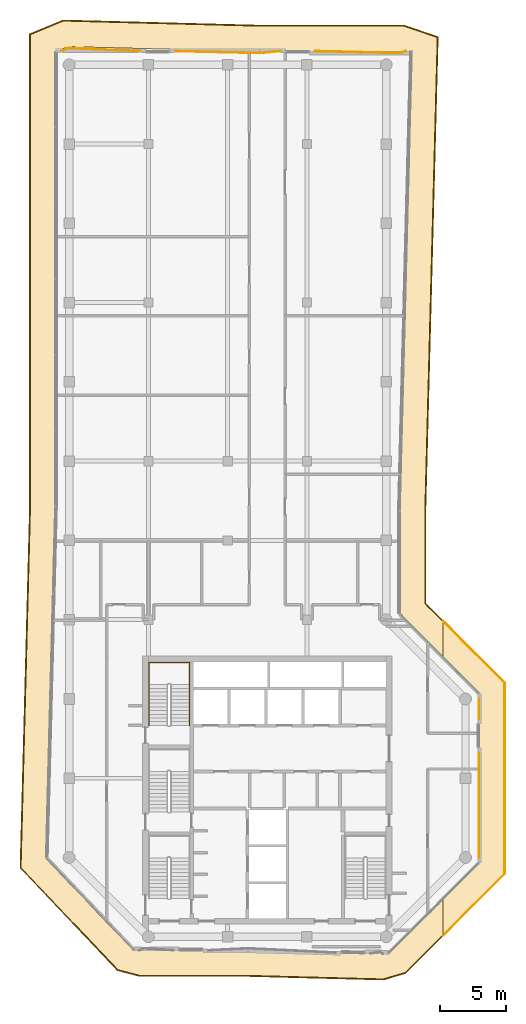
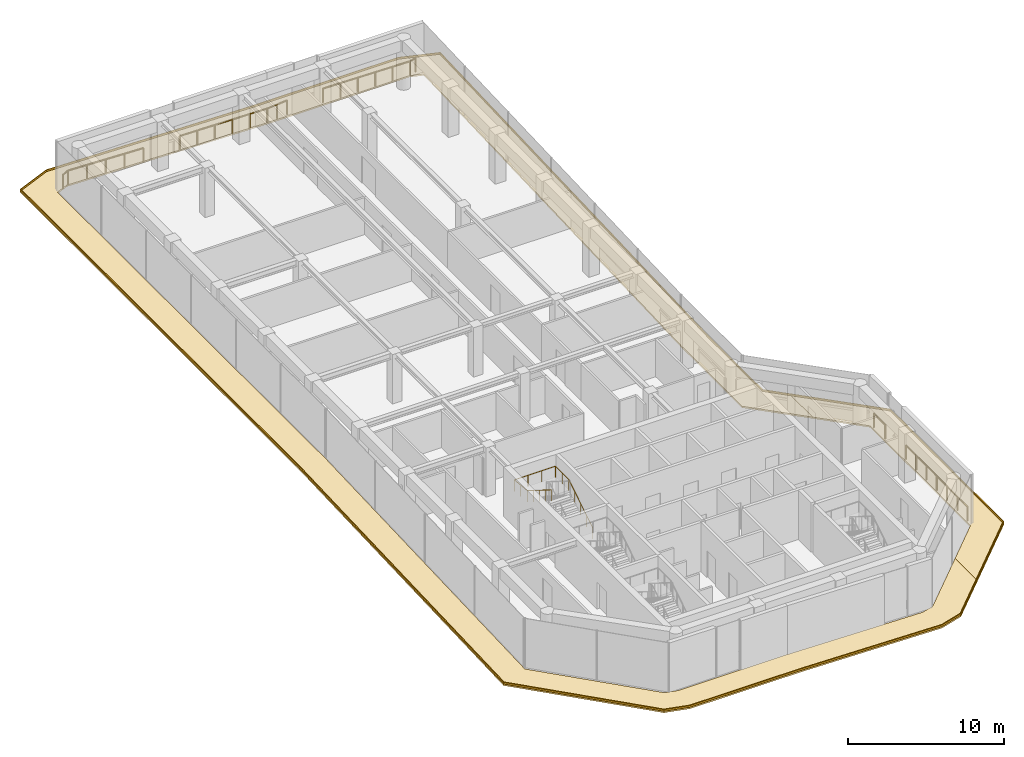
# One storey, part 19 of 19: 6 railings, 4 coverings.
"""IFC4 building model written with IfcOpenShell, lengths in metres."""

from ifc_helpers import new_model, si_unit, direction, frame, origin, origin_2d, place, context, subcontext, project, spatial, polyline, circle, outline, extrude, material, layer, layer_set, type_object, element, save


model = new_model("IFC4")

# Units and contexts
model_context = context("Model", 3, precision=1e-05, world=origin(), true_north=direction((0.0, 1.0)))
body_context = subcontext(model_context, "Body", "Model", "MODEL_VIEW")
ifc_project = project(units=[si_unit("LENGTHUNIT", "METRE"), si_unit("AREAUNIT", "SQUARE_METRE"), si_unit("VOLUMEUNIT", "CUBIC_METRE"), si_unit("PLANEANGLEUNIT", "RADIAN"), si_unit("MASSUNIT", "GRAM", prefix="KILO")], contexts=[model_context])

# Site, building, storey
site_placement = place(None, origin())
site = spatial("IfcSite", under=ifc_project, at=site_placement, CompositionType="ELEMENT")
building_placement = place(site_placement, origin())
building = spatial("IfcBuilding", under=site, at=building_placement, Name="Welwitschia Terrace Campus", CompositionType="ELEMENT")
storey_placement = place(building_placement, frame((0.0, 0.0, 234.800048828125)))
storey = spatial("IfcBuildingStorey", under=building, at=storey_placement, Name="L52", CompositionType="ELEMENT", Elevation=234.800048828125)

# Railings
ifc_material_1 = material(Name="Stainless steel grade 316", Category="steel")
railing_type_1 = type_object("IfcRailingType", Name="Guard 1100", PredefinedType="GUARDRAIL", material=ifc_material_1)
railing_1_placement = place(storey_placement, frame((-0.581298828125, 71.020263671875, 0.0)))
element("IfcRailing", 1, at=railing_1_placement, inside=storey, type_object=railing_type_1, Name="Guard floor edge L52.0", PredefinedType="GUARDRAIL", context=body_context, shape_type="SweptSolid", body=[
    extrude(circle(Radius=0.02392578125, at=origin_2d()), frame((0.0, 0.0, 1.076171875), z_axis=(0.906874009798, 0.421401863254, 0.0), x_axis=(-0.421401863254, 0.906874009798, 0.0)), (0.0, 0.0, 1.0), 0.56787109375),
    extrude(circle(Radius=0.02392578125, at=origin_2d()), frame((0.514892578125, 0.2392578125, 1.076171875), z_axis=(0.999060141539, -0.04334551404, 0.0), x_axis=(0.04334551404, 0.999060141539, 0.0)), (0.0, 0.0, 1.0), 5.4296875),
    extrude(circle(Radius=0.02099609375, at=origin_2d()), origin(), (0.0, 0.0, 1.0), 1.052001953125),
    extrude(circle(Radius=0.02099609375, at=origin_2d()), frame((0.514892578125, 0.2392578125, 0.0)), (0.0, 0.0, 1.0), 1.052001953125),
    extrude(circle(Radius=0.02099609375, at=origin_2d()), frame((1.87109375, 0.180419921875, 0.0)), (0.0, 0.0, 1.0), 1.052001953125),
    extrude(circle(Radius=0.02099609375, at=origin_2d()), frame((3.22705078125, 0.12158203125, 0.0)), (0.0, 0.0, 1.0), 1.052001953125),
    extrude(circle(Radius=0.02099609375, at=origin_2d()), frame((4.583251953125, 0.062744140625, 0.0)), (0.0, 0.0, 1.0), 1.052001953125),
    extrude(circle(Radius=0.02099609375, at=origin_2d()), frame((5.939453125, 0.00390625, 0.0)), (0.0, 0.0, 1.0), 1.052001953125),
])
railing_2_placement = place(storey_placement, frame((8.047119140625, 71.02587890625, 0.0)))
element("IfcRailing", 2, at=railing_2_placement, inside=storey, type_object=railing_type_1, Name="Guard floor edge L52.2", PredefinedType="GUARDRAIL", context=body_context, shape_type="SweptSolid", body=[
    extrude(circle(Radius=0.02392578125, at=origin_2d()), frame((0.0, 0.0, 1.076171875), z_axis=(0.999738067817, -0.022886584663, 0.0), x_axis=(0.022886584663, 0.999738067817, 0.0)), (0.0, 0.0, 1.0), 6.379150390625),
    extrude(circle(Radius=0.02392578125, at=origin_2d()), frame((6.37744140625, -0.14599609375, 1.076171875), z_axis=(0.995381820643, 0.095994953692, 0.0), x_axis=(-0.095994953692, 0.995381820643, 0.0)), (0.0, 0.0, 1.0), 1.564208984375),
    extrude(circle(Radius=0.02099609375, at=origin_2d()), origin(), (0.0, 0.0, 1.0), 1.052001953125),
    extrude(circle(Radius=0.02099609375, at=origin_2d()), frame((1.275390625, -0.029296875, 0.0)), (0.0, 0.0, 1.0), 1.052001953125),
    extrude(circle(Radius=0.02099609375, at=origin_2d()), frame((2.551025390625, -0.058349609375, 0.0)), (0.0, 0.0, 1.0), 1.052001953125),
    extrude(circle(Radius=0.02099609375, at=origin_2d()), frame((3.826416015625, -0.087646484375, 0.0)), (0.0, 0.0, 1.0), 1.052001953125),
    extrude(circle(Radius=0.02099609375, at=origin_2d()), frame((5.10205078125, -0.11669921875, 0.0)), (0.0, 0.0, 1.0), 1.052001953125),
    extrude(circle(Radius=0.02099609375, at=origin_2d()), frame((6.37744140625, -0.14599609375, 0.0)), (0.0, 0.0, 1.0), 1.052001953125),
    extrude(circle(Radius=0.02099609375, at=origin_2d()), frame((7.15576171875, -0.07080078125, 0.0)), (0.0, 0.0, 1.0), 1.052001953125),
    extrude(circle(Radius=0.02099609375, at=origin_2d()), frame((7.934326171875, 0.004150390625, 0.0)), (0.0, 0.0, 1.0), 1.052001953125),
])
railing_3_placement = place(storey_placement, frame((18.62890625, 71.030029296875, 0.0)))
element("IfcRailing", 3, at=railing_3_placement, inside=storey, type_object=railing_type_1, Name="Guard floor edge L52.4", PredefinedType="GUARDRAIL", context=body_context, shape_type="SweptSolid", body=[
    extrude(circle(Radius=0.02392578125, at=origin_2d()), frame((0.0, 0.0, 1.076171875), z_axis=(0.999720708823, -0.023632696645, 0.0), x_axis=(0.023632696645, 0.999720708823, 0.0)), (0.0, 0.0, 1.0), 6.353271484375),
    extrude(circle(Radius=0.02392578125, at=origin_2d()), frame((6.3515625, -0.150146484375, 1.076171875), z_axis=(0.958056829059, 0.286578283011, 0.0), x_axis=(-0.286578283011, 0.958056829059, 0.0)), (0.0, 0.0, 1.0), 0.52392578125),
    extrude(circle(Radius=0.02099609375, at=origin_2d()), origin(), (0.0, 0.0, 1.0), 1.052001953125),
    extrude(circle(Radius=0.02099609375, at=origin_2d()), frame((1.270263671875, -0.030029296875, 0.0)), (0.0, 0.0, 1.0), 1.052001953125),
    extrude(circle(Radius=0.02099609375, at=origin_2d()), frame((2.54052734375, -0.06005859375, 0.0)), (0.0, 0.0, 1.0), 1.052001953125),
    extrude(circle(Radius=0.02099609375, at=origin_2d()), frame((3.81103515625, -0.090087890625, 0.0)), (0.0, 0.0, 1.0), 1.052001953125),
    extrude(circle(Radius=0.02099609375, at=origin_2d()), frame((5.081298828125, -0.1201171875, 0.0)), (0.0, 0.0, 1.0), 1.052001953125),
    extrude(circle(Radius=0.02099609375, at=origin_2d()), frame((6.3515625, -0.150146484375, 0.0)), (0.0, 0.0, 1.0), 1.052001953125),
    extrude(circle(Radius=0.02099609375, at=origin_2d()), frame((6.853515625, 0.0, 0.0)), (0.0, 0.0, 1.0), 1.052001953125),
])
railing_4_placement = place(storey_placement, frame((31.030029296875, 17.8896484375, 0.0)))
element("IfcRailing", 4, at=railing_4_placement, inside=storey, type_object=railing_type_1, Name="Guard floor edge L52.6", PredefinedType="GUARDRAIL", context=body_context, shape_type="SweptSolid", body=[
    extrude(circle(Radius=0.02392578125, at=origin_2d()), frame((0.0, 0.0, 1.076171875), z_axis=(0.0, -1.0, 0.0), x_axis=(1.0, 0.0, 0.0)), (0.0, 0.0, 1.0), 7.892578125),
    extrude(circle(Radius=0.02099609375, at=origin_2d()), origin(), (0.0, 0.0, 1.0), 1.052001953125),
    extrude(circle(Radius=0.02099609375, at=origin_2d()), frame((0.0, -1.3154296875, 0.0)), (0.0, 0.0, 1.0), 1.052001953125),
    extrude(circle(Radius=0.02099609375, at=origin_2d()), frame((0.0, -2.630859375, 0.0)), (0.0, 0.0, 1.0), 1.052001953125),
    extrude(circle(Radius=0.02099609375, at=origin_2d()), frame((0.0, -3.9462890625, 0.0)), (0.0, 0.0, 1.0), 1.052001953125),
    extrude(circle(Radius=0.02099609375, at=origin_2d()), frame((0.0, -5.26171875, 0.0)), (0.0, 0.0, 1.0), 1.052001953125),
    extrude(circle(Radius=0.02099609375, at=origin_2d()), frame((0.0, -6.5771484375, 0.0)), (0.0, 0.0, 1.0), 1.052001953125),
    extrude(circle(Radius=0.02099609375, at=origin_2d()), frame((0.0, -7.892578125, 0.0)), (0.0, 0.0, 1.0), 1.052001953125),
])
railing_5_placement = place(storey_placement, frame((31.030029296875, 22.0029296875, 0.0)))
element("IfcRailing", 5, at=railing_5_placement, inside=storey, type_object=railing_type_1, Name="Guard floor edge L52.7", PredefinedType="GUARDRAIL", context=body_context, shape_type="SweptSolid", body=[
    extrude(circle(Radius=0.02392578125, at=origin_2d()), frame((0.0, 0.0, 1.076171875), z_axis=(0.0, -1.0, 0.0), x_axis=(1.0, 0.0, 0.0)), (0.0, 0.0, 1.0), 1.4658203125),
    extrude(circle(Radius=0.02099609375, at=origin_2d()), origin(), (0.0, 0.0, 1.0), 1.052001953125),
    extrude(circle(Radius=0.02099609375, at=origin_2d()), frame((0.0, -1.4658203125, 0.0)), (0.0, 0.0, 1.0), 1.052001953125),
])
ifc_material_2 = material(Name="Steel S355", Category="steel")
railing_type_2 = type_object("IfcRailingType", Name="Stair handrail 900", PredefinedType="HANDRAIL", material=ifc_material_2)
railing_6_placement = place(storey_placement, frame((9.10009765625, 20.0, 0.175048828125)))
element("IfcRailing", 6, at=railing_6_placement, inside=storey, type_object=railing_type_2, Name="L52 S4 stair handrail", PredefinedType="HANDRAIL", context=body_context, shape_type="SweptSolid", body=[
    extrude(circle(Radius=0.02392578125, at=origin_2d()), frame((0.0, 0.0, 0.8759765625), z_axis=(0.0, 0.848028513186, 0.529950602248), x_axis=(-1.0, 0.0, 0.0)), (0.0, 0.0, 1.0), 3.632080078125),
    extrude(circle(Radius=0.02392578125, at=origin_2d()), frame((0.0, 3.080078125, 2.80078125), z_axis=(0.0, 1.0, 0.0), x_axis=(-1.0, 0.0, 0.0)), (0.0, 0.0, 1.0), 1.669921875),
    extrude(circle(Radius=0.02392578125, at=origin_2d()), frame((0.0, 4.75, 2.80078125), z_axis=(-1.0, 0.0, 0.0), x_axis=(0.0, -1.0, 0.0)), (0.0, 0.0, 1.0), 3.050048828125),
    extrude(circle(Radius=0.02392578125, at=origin_2d()), frame((-3.050048828125, 4.75, 2.80078125), z_axis=(0.0, -0.99455077262, 0.104253348533), x_axis=(1.0, 0.0, 0.0)), (0.0, 0.0, 1.0), 1.678955078125),
    extrude(circle(Radius=0.02392578125, at=origin_2d()), frame((-3.050048828125, 3.080078125, 2.9755859375), z_axis=(0.0, -0.847998304005, 0.529998940003), x_axis=(1.0, 0.0, 0.0)), (0.0, 0.0, 1.0), 3.632080078125),
    extrude(circle(Radius=0.02099609375, at=origin_2d()), origin(), (0.0, 0.0, 1.0), 0.851806640625),
    extrude(circle(Radius=0.02099609375, at=origin_2d()), frame((0.0, 0.77001953125, 0.481201171875)), (0.0, 0.0, 1.0), 0.851806640625),
    extrude(circle(Radius=0.02099609375, at=origin_2d()), frame((0.0, 1.5400390625, 0.96240234375)), (0.0, 0.0, 1.0), 0.851806640625),
    extrude(circle(Radius=0.02099609375, at=origin_2d()), frame((0.0, 2.31005859375, 1.443603515625)), (0.0, 0.0, 1.0), 0.851806640625),
    extrude(circle(Radius=0.02099609375, at=origin_2d()), frame((0.0, 3.080078125, 1.9248046875)), (0.0, 0.0, 1.0), 0.851806640625),
    extrude(circle(Radius=0.02099609375, at=origin_2d()), frame((0.0, 3.9150390625, 1.9248046875)), (0.0, 0.0, 1.0), 0.851806640625),
    extrude(circle(Radius=0.02099609375, at=origin_2d()), frame((0.0, 4.75, 1.9248046875)), (0.0, 0.0, 1.0), 0.851806640625),
    extrude(circle(Radius=0.02099609375, at=origin_2d()), frame((-1.0166015625, 4.75, 1.9248046875)), (0.0, 0.0, 1.0), 0.851806640625),
    extrude(circle(Radius=0.02099609375, at=origin_2d()), frame((-2.033447265625, 4.75, 1.9248046875)), (0.0, 0.0, 1.0), 0.851806640625),
    extrude(circle(Radius=0.02099609375, at=origin_2d()), frame((-3.050048828125, 4.75, 1.9248046875)), (0.0, 0.0, 1.0), 0.851806640625),
    extrude(circle(Radius=0.02099609375, at=origin_2d()), frame((-3.050048828125, 3.9150390625, 2.01220703125)), (0.0, 0.0, 1.0), 0.851806640625),
    extrude(circle(Radius=0.02099609375, at=origin_2d()), frame((-3.050048828125, 3.080078125, 2.099853515625)), (0.0, 0.0, 1.0), 0.851806640625),
    extrude(circle(Radius=0.02099609375, at=origin_2d()), frame((-3.050048828125, 2.31005859375, 2.5810546875)), (0.0, 0.0, 1.0), 0.851806640625),
    extrude(circle(Radius=0.02099609375, at=origin_2d()), frame((-3.050048828125, 1.5400390625, 3.0625)), (0.0, 0.0, 1.0), 0.851806640625),
    extrude(circle(Radius=0.02099609375, at=origin_2d()), frame((-3.050048828125, 0.77001953125, 3.543701171875)), (0.0, 0.0, 1.0), 0.851806640625),
    extrude(circle(Radius=0.02099609375, at=origin_2d()), frame((-3.050048828125, 0.0, 4.02490234375)), (0.0, 0.0, 1.0), 0.851806640625),
])

# Coverings
ifc_material_3 = material(Name="Bronze anodised aluminium", Category="aluminium")
ifc_layer_1 = layer(ifc_material_3, 0.1201171875)
ifc_layer_set_1 = layer_set([ifc_layer_1], Name="Bronze anodised aluminium")
covering_type_1 = type_object("IfcCoveringType", Name="Sunshade band 2000", PredefinedType="USERDEFINED", material=ifc_layer_set_1)
covering_1_placement = place(storey_placement, frame((0.0, 0.0, -0.25)))
element("IfcCovering", 7, at=covering_1_placement, inside=storey, type_object=covering_type_1, Name="SUNSHADE L52.SW0", ObjectType="SUNSHADE", PredefinedType="USERDEFINED", context=body_context, shape_type="SweptSolid", body=[
    extrude(outline(polyline([(14.452392578125, 73.0), (25.32421875, 73.0), (27.9404296875, 72.128662109375), (27.0, 36.217529296875), (27.0, 29.24267578125), (28.303466796875, 27.939208984375), (28.303466796875, 25.110595703125), (25.0, 28.414306640625), (25.0, 36.24365234375), (25.90234375, 70.699462890625), (25.0, 71.0), (14.426025390625, 71.0), (-0.0888671875, 71.380126953125), (-1.0, 71.0), (-1.0, 36.583984375), (-1.696533203125, 9.98681640625), (4.714599609375, 3.23095703125), (5.585693359375, 3.0), (13.535888671875, 3.0), (23.53662109375, 2.738037109375), (24.414306640625, 3.0), (28.303466796875, 6.889404296875), (28.303466796875, 4.060791015625), (25.470703125, 1.22802734375), (23.802978515625, 0.73046875), (13.509765625, 1.0), (5.3251953125, 1.0), (3.654052734375, 1.443115234375), (-3.717529296875, 9.211181640625), (-3.0, 36.6103515625), (-3.0, 72.332763671875), (-0.464111328125, 73.390625), (14.452392578125, 73.0)])), origin(), (0.0, 0.0, 1.0), 0.119873046875),
])
covering_2_placement = place(storey_placement, frame((0.0, 0.0, -0.25)))
element("IfcCovering", 8, at=covering_2_placement, inside=storey, type_object=covering_type_1, Name="SUNSHADE L52.SE0", ObjectType="SUNSHADE", PredefinedType="USERDEFINED", context=body_context, shape_type="SweptSolid", body=[
    extrude(outline(polyline([(33.0, 23.24267578125), (33.0, 8.75732421875), (28.303466796875, 4.060791015625), (28.303466796875, 6.889404296875), (31.0, 9.585693359375), (31.0, 22.414306640625), (28.303466796875, 25.110595703125), (28.303466796875, 27.939208984375), (33.0, 23.24267578125)])), origin(), (0.0, 0.0, 1.0), 0.119873046875),
])
ifc_material_4 = material(Name="Bronze anodised aluminium", Category="aluminium")
ifc_layer_2 = layer(ifc_material_4, 0.06005859375)
ifc_layer_set_2 = layer_set([ifc_layer_2], Name="Bronze anodised aluminium")
covering_type_2 = type_object("IfcCoveringType", Name="Sunshade lip 60", PredefinedType="USERDEFINED", material=ifc_layer_set_2)
covering_3_placement = place(storey_placement, frame((0.0, 0.0, -0.130126953125)))
element("IfcCovering", 9, at=covering_3_placement, inside=storey, type_object=covering_type_2, Name="SUNSHADE LIP L52.SW0.0", ObjectType="SUNSHADE", PredefinedType="USERDEFINED", context=body_context, shape_type="SweptSolid", body=[
    extrude(outline(polyline([(25.32421875, 73.0), (27.9404296875, 72.128662109375), (27.0, 36.217529296875), (27.0, 29.24267578125), (28.303466796875, 27.939208984375), (28.303466796875, 27.854248046875), (26.93994140625, 29.2177734375), (26.93994140625, 36.218505859375), (27.879150390625, 72.085693359375), (25.314697265625, 72.93994140625), (14.451416015625, 72.93994140625), (-0.452880859375, 73.330322265625), (-2.93994140625, 72.292724609375), (-2.93994140625, 36.609619140625), (-3.65673828125, 9.234375), (3.685791015625, 1.49658203125), (5.3330078125, 1.06005859375), (13.510498046875, 1.06005859375), (23.794921875, 0.790771484375), (25.439208984375, 1.28125), (28.303466796875, 4.145751953125), (28.303466796875, 4.060791015625), (25.470703125, 1.22802734375), (23.802978515625, 0.73046875), (13.509765625, 1.0), (5.3251953125, 1.0), (3.654052734375, 1.443115234375), (-3.717529296875, 9.211181640625), (-3.0, 36.6103515625), (-3.0, 72.332763671875), (-0.464111328125, 73.390625), (14.452392578125, 73.0), (25.32421875, 73.0)])), origin(), (0.0, 0.0, 1.0), 0.130126953125),
])
covering_4_placement = place(storey_placement, frame((0.0, 0.0, -0.130126953125)))
element("IfcCovering", 10, at=covering_4_placement, inside=storey, type_object=covering_type_2, Name="SUNSHADE LIP L52.SE0.0", ObjectType="SUNSHADE", PredefinedType="USERDEFINED", context=body_context, shape_type="SweptSolid", body=[
    extrude(outline(polyline([(33.0, 8.75732421875), (28.303466796875, 4.060791015625), (28.303466796875, 4.145751953125), (32.93994140625, 8.7822265625), (32.93994140625, 23.2177734375), (28.303466796875, 27.854248046875), (28.303466796875, 27.939208984375), (33.0, 23.24267578125), (33.0, 8.75732421875)])), origin(), (0.0, 0.0, 1.0), 0.130126953125),
])

save(model, "model.ifc")
